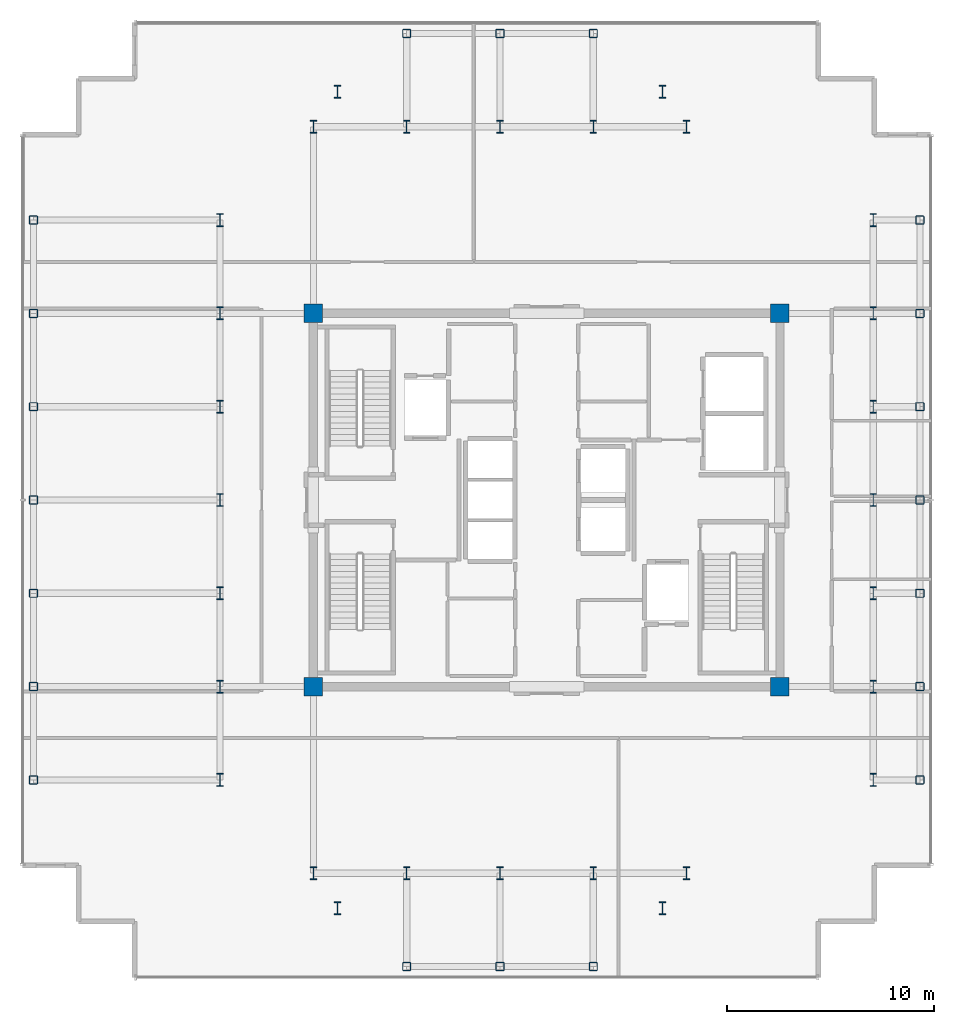
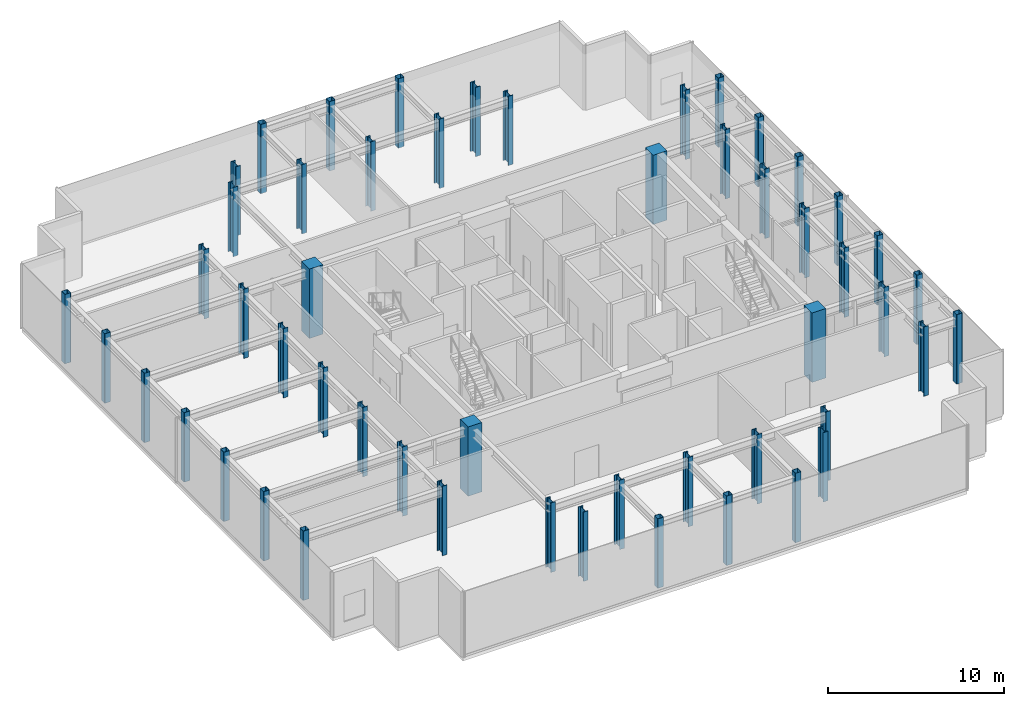
# One storey, part 1 of 17: 52 columns.
"""IFC4 building model written with IfcOpenShell, lengths in metres."""

import ifcopenshell
import ifcopenshell.guid

model = None  # the IFC model being written
_history = None  # IfcOwnerHistory: only IFC2X3 demands one
_inside = {}  # id of a spatial element -> (the spatial element, [elements in it])
_under = {}  # id of a project, library or spatial element -> (it, [spatial elements below it])
_declared = {}  # id of a project -> (the project, [libraries it declares])
_typed = {}  # id of a type object -> (the type object, [elements of that type])
_made_of = {}  # id of a material, layer set ... -> (it, [elements and type objects made of it])


def new_model(schema):
    """Start an empty IFC model of exactly this schema.

    Asked for "IFC4X3", IfcOpenShell would pick the latest addendum, in which some entities
    have other attributes; the version numbers below select the first issue.
    IFC2X3 requires an IfcOwnerHistory on every rooted entity: one is made here for all.
    """
    global model, _history
    if schema == "IFC4X3":
        model = ifcopenshell.file(schema_version=(4, 3, 0, 0))
    else:
        model = ifcopenshell.file(schema=schema)
    _inside.clear()
    _under.clear()
    _declared.clear()
    _typed.clear()
    _made_of.clear()
    _history = None
    if model.schema == "IFC2X3":
        org = make("IfcOrganization", Name="unknown")
        user = make(
            "IfcPersonAndOrganization",
            ThePerson=make("IfcPerson", FamilyName="unknown"),
            TheOrganization=org,
        )
        app = make(
            "IfcApplication",
            ApplicationDeveloper=org,
            Version="unknown",
            ApplicationFullName="unknown",
            ApplicationIdentifier="unknown",
        )
        _history = make(
            "IfcOwnerHistory",
            OwningUser=user,
            OwningApplication=app,
            ChangeAction="ADDED",
            CreationDate=0,
        )
    return model


def make(cls, **values):
    """One entity of the class cls with the attributes given. An attribute that is None is left unset."""
    return model.create_entity(
        cls, **{name: value for name, value in values.items() if value is not None}
    )


def rooted(cls, **values):
    """An entity with a GlobalId (a new one), such as an element, a storey or a relation."""
    return make(cls, GlobalId=ifcopenshell.guid.new(), OwnerHistory=_history, **values)


def si_unit(unit_type, name, prefix=None):
    """IfcSIUnit, for example si_unit("LENGTHUNIT", "METRE", prefix="MILLI")."""
    return make("IfcSIUnit", UnitType=unit_type, Prefix=prefix, Name=name)


def assignment(units):
    """IfcUnitAssignment: the units of a project."""
    return None if units is None else make("IfcUnitAssignment", Units=units)


def point(xyz):
    """IfcCartesianPoint."""
    return None if xyz is None else make("IfcCartesianPoint", Coordinates=xyz)


def direction(xyz):
    """IfcDirection."""
    return None if xyz is None else make("IfcDirection", DirectionRatios=xyz)


def frame(location, z_axis=None, x_axis=None):
    """IfcAxis2Placement3D, a coordinate frame: its origin and axes. An axis left out is left unset."""
    return make(
        "IfcAxis2Placement3D",
        Location=point(location),
        Axis=direction(z_axis),
        RefDirection=direction(x_axis),
    )


def frame_2d(location, x_axis=None):
    """IfcAxis2Placement2D, a coordinate frame in the plane: its origin and x axis."""
    return make(
        "IfcAxis2Placement2D", Location=point(location), RefDirection=direction(x_axis)
    )


def origin():
    """The frame at (0, 0, 0) with its axes left unset."""
    return frame((0.0, 0.0, 0.0))


def origin_2d():
    """The frame at (0, 0) in the plane with its x axis left unset."""
    return frame_2d((0.0, 0.0))


def place(relative_to, where):
    """IfcLocalPlacement: puts the frame where relative to a parent placement (None: the world)."""
    return make(
        "IfcLocalPlacement", PlacementRelTo=relative_to, RelativePlacement=where
    )


def context(
    kind, dimensions, precision=None, world=None, true_north=None, identifier=None
):
    """IfcGeometricRepresentationContext, for example the 3D "Model" context."""
    return make(
        "IfcGeometricRepresentationContext",
        ContextIdentifier=identifier,
        ContextType=kind,
        CoordinateSpaceDimension=dimensions,
        Precision=precision,
        WorldCoordinateSystem=world,
        TrueNorth=true_north,
    )


def subcontext(parent, identifier, kind, view, scale=None):
    """IfcGeometricRepresentationSubContext, for example "Body" below "Model"."""
    return make(
        "IfcGeometricRepresentationSubContext",
        ContextIdentifier=identifier,
        ContextType=kind,
        ParentContext=parent,
        TargetScale=scale,
        TargetView=view,
    )


def project(units=None, contexts=None):
    """IfcProject with its units and contexts."""
    return rooted(
        "IfcProject",
        Name="project",
        RepresentationContexts=contexts,
        UnitsInContext=assignment(units),
    )


def spatial(cls, under=None, at=None, **own):
    """A site, building, storey or space (cls), placed at a placement, below another one or the project."""
    s = rooted(cls, ObjectPlacement=at, **own)
    if under is not None:
        _under.setdefault(under.id(), (under, []))[1].append(s)
    return s


def profile(cls, at=None, kind="AREA", **sizes):
    """A parametric profile (cls). Its sizes go by their IFC names, for example OverallWidth=200.0."""
    return make(cls, ProfileType=kind, Position=at, **sizes)


def rectangle(**sizes):
    """IfcRectangleProfileDef."""
    return profile("IfcRectangleProfileDef", **sizes)


def hollow_rectangle(**sizes):
    """IfcRectangleHollowProfileDef."""
    return profile("IfcRectangleHollowProfileDef", **sizes)


def i_section(**sizes):
    """IfcIShapeProfileDef."""
    return profile("IfcIShapeProfileDef", **sizes)


def extrude(swept, where, along, depth):
    """IfcExtrudedAreaSolid: the profile swept, set in the frame where, extruded along a direction by depth."""
    return make(
        "IfcExtrudedAreaSolid",
        SweptArea=swept,
        Position=where,
        ExtrudedDirection=direction(along),
        Depth=depth,
    )


def shape(context_of_items, identifier, shape_type, items):
    """IfcShapeRepresentation: the items that make up one representation, for example the "Body"."""
    return make(
        "IfcShapeRepresentation",
        ContextOfItems=context_of_items,
        RepresentationIdentifier=identifier,
        RepresentationType=shape_type,
        Items=items,
    )


def source(mapping_origin, context_of_items, identifier, shape_type, items):
    """IfcRepresentationMap: a shape defined once, which mapped items show again and again."""
    return make(
        "IfcRepresentationMap",
        MappingOrigin=mapping_origin,
        MappedRepresentation=shape(context_of_items, identifier, shape_type, items),
    )


def transform(
    local_origin,
    x_axis=None,
    y_axis=None,
    z_axis=None,
    scale=None,
    scale2=None,
    scale3=None,
    uniform=True,
):
    """IfcCartesianTransformationOperator3D, or its non-uniform kind. x_axis, y_axis, z_axis: its Axis1, 2, 3."""
    if uniform:
        return make(
            "IfcCartesianTransformationOperator3D",
            Axis1=direction(x_axis),
            Axis2=direction(y_axis),
            LocalOrigin=point(local_origin),
            Scale=scale,
            Axis3=direction(z_axis),
        )
    return make(
        "IfcCartesianTransformationOperator3DnonUniform",
        Axis1=direction(x_axis),
        Axis2=direction(y_axis),
        LocalOrigin=point(local_origin),
        Scale=scale,
        Axis3=direction(z_axis),
        Scale2=scale2,
        Scale3=scale3,
    )


def mapped(mapping_source, mapping_target):
    """IfcMappedItem: shows the shape of a source again, moved by a transform."""
    return make(
        "IfcMappedItem", MappingSource=mapping_source, MappingTarget=mapping_target
    )


def material(Name=None, Category=None):
    """IfcMaterial."""
    return make("IfcMaterial", Name=Name, Category=Category)


def material_profile(
    of_material, cross_section, Name=None, Category=None, Priority=None
):
    """IfcMaterialProfile: a cross section and its material."""
    return make(
        "IfcMaterialProfile",
        Name=Name,
        Material=of_material,
        Profile=cross_section,
        Priority=Priority,
        Category=Category,
    )


def profile_set(profiles, Name=None, composite=None):
    """IfcMaterialProfileSet."""
    return make(
        "IfcMaterialProfileSet",
        Name=Name,
        MaterialProfiles=profiles,
        CompositeProfile=composite,
    )


def made_of(thing, what):
    """Note that an element or type object is made of a material, layer set ...; save() writes the relation."""
    if what is not None:
        _made_of.setdefault(what.id(), (what, []))[1].append(thing)
    return thing


def type_object(cls, material=None, **own):
    """A type object (cls), such as IfcWallType, which elements share."""
    return made_of(rooted(cls, **own), material)


def element(
    cls,
    number,
    at=None,
    inside=None,
    cuts=None,
    type_object=None,
    material=None,
    context=None,
    identifier="Body",
    shape_type=None,
    held_by="IfcProductDefinitionShape",
    body=None,
    shapes=None,
    **own,
):
    """One element of the class cls, such as IfcWall. Its Tag is "e" and its number.

    at: its placement. inside: the storey or other place that contains it. cuts: it is an
    opening in that element (IfcRelVoidsElement). A single representation is given by context,
    identifier, shape_type and body (its items); several are given by shapes. held_by: the class
    of the entity that holds the representations. save() writes the other relations.
    """
    e = rooted(cls, Tag="e%d" % number, ObjectPlacement=at, **own)
    if body is not None:
        shapes = [shape(context, identifier, shape_type, body)]
    if shapes is not None:
        e.Representation = make(held_by, Representations=shapes)
    if inside is not None:
        _inside.setdefault(inside.id(), (inside, []))[1].append(e)
    if cuts is not None:
        rooted(
            "IfcRelVoidsElement", RelatingBuildingElement=cuts, RelatedOpeningElement=e
        )
    if type_object is not None:
        _typed.setdefault(type_object.id(), (type_object, []))[1].append(e)
    return made_of(e, material)


def aggregate(whole, parts):
    """IfcRelAggregates: a whole, such as a stair, and the parts it consists of."""
    return rooted("IfcRelAggregates", RelatingObject=whole, RelatedObjects=parts)


def save(model, path):
    """Write the relations noted so far, then the file.

    IfcRelAggregates (storeys below a building ...), IfcRelContainedInSpatialStructure (elements
    in a storey), IfcRelDefinesByType, IfcRelAssociatesMaterial and IfcRelDeclares: one each for
    every whole, place, type object, material and project.
    """
    for whole, parts in _under.values():
        aggregate(whole, parts)
    for where, things in _inside.values():
        rooted(
            "IfcRelContainedInSpatialStructure",
            RelatedElements=things,
            RelatingStructure=where,
        )
    for kind, things in _typed.values():
        rooted("IfcRelDefinesByType", RelatedObjects=things, RelatingType=kind)
    for what, things in _made_of.values():
        rooted("IfcRelAssociatesMaterial", RelatedObjects=things, RelatingMaterial=what)
    for by, libraries in _declared.values():
        rooted("IfcRelDeclares", RelatingContext=by, RelatedDefinitions=libraries)
    model.write(path)


model = new_model("IFC4")

# Units and contexts
model_context = context("Model", 3, precision=1e-05, world=origin(), true_north=direction((0.0, 1.0)))
body_context = subcontext(model_context, "Body", "Model", "MODEL_VIEW")
ifc_project = project(units=[si_unit("LENGTHUNIT", "METRE"), si_unit("AREAUNIT", "SQUARE_METRE"), si_unit("VOLUMEUNIT", "CUBIC_METRE"), si_unit("PLANEANGLEUNIT", "RADIAN"), si_unit("MASSUNIT", "GRAM", prefix="KILO")], contexts=[model_context])

# Site, building, storey
site_placement = place(None, origin())
site = spatial("IfcSite", under=ifc_project, at=site_placement, CompositionType="ELEMENT")
building_placement = place(site_placement, origin())
building = spatial("IfcBuilding", under=site, at=building_placement, Name="Nefas-Gora Pilgrimage Tower", CompositionType="ELEMENT")
storey_placement = place(building_placement, frame((0.0, 0.0, 349.0)))
storey = spatial("IfcBuildingStorey", under=building, at=storey_placement, Name="L88", CompositionType="ELEMENT", Elevation=349.0)

# Columns
ifc_material_1 = material(Name="Steel S355", Category="steel")
ifc_material_profile_1 = material_profile(ifc_material_1, hollow_rectangle(XDim=0.39990234375, YDim=0.39990234375, WallThickness=0.02001953125, InnerFilletRadius=0.02001953125, OuterFilletRadius=0.0400390625, at=origin_2d()), Name="SHS 400x400x20")
ifc_profile_set_1 = profile_set([ifc_material_profile_1], Name="Steel S355")
column_type_1 = type_object("IfcColumnType", Name="COL-TUBE-400", PredefinedType="COLUMN", material=ifc_profile_set_1)
shared_shape_1 = source(origin(), body_context, "Body", "SweptSolid", [
    extrude(hollow_rectangle(XDim=0.39990234375, YDim=0.39990234375, WallThickness=0.02001953125, InnerFilletRadius=0.02001953125, OuterFilletRadius=0.0400390625, at=origin_2d()), origin(), (0.0, 0.0, 1.0), 4.800048828125),
])
for number, where, z_axis, x_axis, name in (
    (1, (-24.75, -13.5, 0.0), (0.0, 0.0, 1.0), (1.0, 0.0, 0.0), "L88 Tower Column C-Z5.1"),
    (2, (-24.75, -9.0, 0.0), (0.0, 0.0, 1.0), (1.0, 0.0, 0.0), "L88 Tower Column C-Z5.2"),
    (3, (-24.75, -4.5, 0.0), (0.0, 0.0, 1.0), (1.0, 0.0, 0.0), "L88 Tower Column C-Z5.3"),
    (4, (-24.75, 0.0, 0.0), (0.0, 0.0, 1.0), (1.0, 0.0, 0.0), "L88 Tower Column C-Z5.4"),
    (5, (-24.75, 4.5, 0.0), (0.0, 0.0, 1.0), (1.0, 0.0, 0.0), "L88 Tower Column C-Z5.5"),
    (6, (-24.75, 9.0, 0.0), (0.0, 0.0, 1.0), (1.0, 0.0, 0.0), "L88 Tower Column C-Z5.6"),
    (7, (-24.75, 13.5, 0.0), (0.0, 0.0, 1.0), (1.0, 0.0, 0.0), "L88 Tower Column C-Z5.7"),
    (8, (-6.75, -22.5, 0.0), (0.0, 0.0, 1.0), (1.0, 0.0, 0.0), "L88 Tower Column C-Z5.21"),
    (9, (-6.75, 22.5, 0.0), (0.0, 0.0, 1.0), (1.0, 0.0, 0.0), "L88 Tower Column C-Z5.24"),
    (10, (-2.25, -22.5, 0.0), (0.0, 0.0, 1.0), (1.0, 0.0, 0.0), "L88 Tower Column C-Z5.25"),
    (11, (-2.25, 22.5, 0.0), (0.0, 0.0, 1.0), (1.0, 0.0, 0.0), "L88 Tower Column C-Z5.28"),
    (12, (2.25, -22.5, 0.0), (0.0, 0.0, 1.0), (1.0, 0.0, 0.0), "L88 Tower Column C-Z5.29"),
    (13, (2.25, 22.5, 0.0), (0.0, 0.0, 1.0), (1.0, 0.0, 0.0), "L88 Tower Column C-Z5.32"),
    (14, (18.0, -13.5, 0.0), (0.0, 0.0, 1.0), (1.0, 0.0, 0.0), "L88 Tower Column C-Z5.46"),
    (15, (18.0, -9.0, 0.0), (0.0, 0.0, 1.0), (1.0, 0.0, 0.0), "L88 Tower Column C-Z5.47"),
    (16, (18.0, -4.5, 0.0), (0.0, 0.0, 1.0), (1.0, 0.0, 0.0), "L88 Tower Column C-Z5.48"),
    (17, (18.0, 0.0, 0.0), (0.0, 0.0, 1.0), (1.0, 0.0, 0.0), "L88 Tower Column C-Z5.49"),
    (18, (18.0, 4.5, 0.0), (0.0, 0.0, 1.0), (1.0, 0.0, 0.0), "L88 Tower Column C-Z5.50"),
    (19, (18.0, 9.0, 0.0), (0.0, 0.0, 1.0), (1.0, 0.0, 0.0), "L88 Tower Column C-Z5.51"),
    (20, (18.0, 13.5, 0.0), (0.0, 0.0, 1.0), (1.0, 0.0, 0.0), "L88 Tower Column C-Z5.52"),
):
    element("IfcColumn", number, at=place(storey_placement, frame(where, z_axis=z_axis, x_axis=x_axis)), inside=storey, type_object=column_type_1, Name=name, PredefinedType="COLUMN", context=body_context, shape_type="MappedRepresentation", body=[
        mapped(shared_shape_1, transform((0.0, 0.0, 0.0), x_axis=(1.0, 0.0, 0.0), y_axis=(0.0, 1.0, 0.0), z_axis=(0.0, 0.0, 1.0), scale=1.0)),
    ])
ifc_material_profile_2 = material_profile(ifc_material_1, i_section(OverallWidth=0.304931640625, OverallDepth=0.6201171875, WebThickness=0.02099609375, FlangeThickness=0.0400390625, FilletRadius=0.027099609375, at=origin_2d()), Name="HEM 600")
ifc_profile_set_2 = profile_set([ifc_material_profile_2], Name="Steel S355")
column_type_2 = type_object("IfcColumnType", Name="COL-WEB-HEM600", PredefinedType="COLUMN", material=ifc_profile_set_2)
shared_shape_2 = source(origin(), body_context, "Body", "SweptSolid", [
    extrude(i_section(OverallWidth=0.304931640625, OverallDepth=0.6201171875, WebThickness=0.02099609375, FlangeThickness=0.0400390625, FilletRadius=0.027099609375, at=origin_2d()), origin(), (0.0, 0.0, 1.0), 4.800048828125),
])
for number, where, z_axis, x_axis, name in (
    (21, (-15.75, -13.5, 0.0), (0.0, 0.0, 1.0), (1.0, 0.0, 0.0), "L88 Tower Column CW-03.8"),
    (22, (-15.75, -9.0, 0.0), (0.0, 0.0, 1.0), (1.0, 0.0, 0.0), "L88 Tower Column CW-03.9"),
    (23, (-15.75, -4.5, 0.0), (0.0, 0.0, 1.0), (1.0, 0.0, 0.0), "L88 Tower Column CW-03.10"),
    (24, (-15.75, 0.0, 0.0), (0.0, 0.0, 1.0), (1.0, 0.0, 0.0), "L88 Tower Column CW-03.11"),
    (25, (-15.75, 4.5, 0.0), (0.0, 0.0, 1.0), (1.0, 0.0, 0.0), "L88 Tower Column CW-03.12"),
    (26, (-15.75, 9.0, 0.0), (0.0, 0.0, 1.0), (1.0, 0.0, 0.0), "L88 Tower Column CW-03.13"),
    (27, (-15.75, 13.5, 0.0), (0.0, 0.0, 1.0), (1.0, 0.0, 0.0), "L88 Tower Column CW-03.14"),
    (28, (-11.25, -18.0, 0.0), (0.0, 0.0, 1.0), (1.0, 0.0, 0.0), "L88 Tower Column CW-03.15"),
    (29, (-11.25, 18.0, 0.0), (0.0, 0.0, 1.0), (1.0, 0.0, 0.0), "L88 Tower Column CW-03.18"),
    (30, (-10.091064453125, -19.696044921875, 0.0), (0.0, 0.0, 1.0), (1.0, 0.0, 0.0), "L88 Tower Column CW-03.19"),
    (31, (-10.091064453125, 19.696044921875, 0.0), (0.0, 0.0, 1.0), (1.0, 0.0, 0.0), "L88 Tower Column CW-03.20"),
    (32, (-6.75, -18.0, 0.0), (0.0, 0.0, 1.0), (1.0, 0.0, 0.0), "L88 Tower Column CW-03.22"),
    (33, (-6.75, 18.0, 0.0), (0.0, 0.0, 1.0), (1.0, 0.0, 0.0), "L88 Tower Column CW-03.23"),
    (34, (-2.25, -18.0, 0.0), (0.0, 0.0, 1.0), (1.0, 0.0, 0.0), "L88 Tower Column CW-03.26"),
    (35, (-2.25, 18.0, 0.0), (0.0, 0.0, 1.0), (1.0, 0.0, 0.0), "L88 Tower Column CW-03.27"),
    (36, (2.25, -18.0, 0.0), (0.0, 0.0, 1.0), (1.0, 0.0, 0.0), "L88 Tower Column CW-03.30"),
    (37, (2.25, 18.0, 0.0), (0.0, 0.0, 1.0), (1.0, 0.0, 0.0), "L88 Tower Column CW-03.31"),
    (38, (5.591064453125, -19.696044921875, 0.0), (0.0, 0.0, 1.0), (1.0, 0.0, 0.0), "L88 Tower Column CW-03.33"),
    (39, (5.591064453125, 19.696044921875, 0.0), (0.0, 0.0, 1.0), (1.0, 0.0, 0.0), "L88 Tower Column CW-03.34"),
    (40, (6.75, -18.0, 0.0), (0.0, 0.0, 1.0), (1.0, 0.0, 0.0), "L88 Tower Column CW-03.35"),
    (41, (6.75, 18.0, 0.0), (0.0, 0.0, 1.0), (1.0, 0.0, 0.0), "L88 Tower Column CW-03.36"),
    (42, (15.75, -13.5, 0.0), (0.0, 0.0, 1.0), (1.0, 0.0, 0.0), "L88 Tower Column CW-03.39"),
    (43, (15.75, -9.0, 0.0), (0.0, 0.0, 1.0), (1.0, 0.0, 0.0), "L88 Tower Column CW-03.40"),
    (44, (15.75, -4.5, 0.0), (0.0, 0.0, 1.0), (1.0, 0.0, 0.0), "L88 Tower Column CW-03.41"),
    (45, (15.75, 0.0, 0.0), (0.0, 0.0, 1.0), (1.0, 0.0, 0.0), "L88 Tower Column CW-03.42"),
    (46, (15.75, 4.5, 0.0), (0.0, 0.0, 1.0), (1.0, 0.0, 0.0), "L88 Tower Column CW-03.43"),
    (47, (15.75, 9.0, 0.0), (0.0, 0.0, 1.0), (1.0, 0.0, 0.0), "L88 Tower Column CW-03.44"),
    (48, (15.75, 13.5, 0.0), (0.0, 0.0, 1.0), (1.0, 0.0, 0.0), "L88 Tower Column CW-03.45"),
):
    element("IfcColumn", number, at=place(storey_placement, frame(where, z_axis=z_axis, x_axis=x_axis)), inside=storey, type_object=column_type_2, Name=name, PredefinedType="COLUMN", context=body_context, shape_type="MappedRepresentation", body=[
        mapped(shared_shape_2, transform((0.0, 0.0, 0.0), x_axis=(1.0, 0.0, 0.0), y_axis=(0.0, 1.0, 0.0), z_axis=(0.0, 0.0, 1.0), scale=1.0)),
    ])
ifc_material_2 = material(Name="Concrete C50/60", Category="concrete")
ifc_material_profile_3 = material_profile(ifc_material_2, rectangle(XDim=0.89990234375, YDim=0.89990234375, at=origin_2d()), Name="RC 900x900")
ifc_profile_set_3 = profile_set([ifc_material_profile_3], Name="Concrete C50/60")
column_type_3 = type_object("IfcColumnType", Name="COL-RC-900", PredefinedType="COLUMN", material=ifc_profile_set_3)
shared_shape_3 = source(origin(), body_context, "Body", "SweptSolid", [
    extrude(rectangle(XDim=0.89990234375, YDim=0.89990234375, at=origin_2d()), origin(), (0.0, 0.0, 1.0), 4.800048828125),
])
for number, where, z_axis, x_axis, name in (
    (49, (-11.25, -9.0, 0.0), (0.0, 0.0, 1.0), (1.0, 0.0, 0.0), "L88 Tower Column CRC-02.16"),
    (50, (-11.25, 9.0, 0.0), (0.0, 0.0, 1.0), (1.0, 0.0, 0.0), "L88 Tower Column CRC-02.17"),
    (51, (11.25, -9.0, 0.0), (0.0, 0.0, 1.0), (1.0, 0.0, 0.0), "L88 Tower Column CRC-02.37"),
    (52, (11.25, 9.0, 0.0), (0.0, 0.0, 1.0), (1.0, 0.0, 0.0), "L88 Tower Column CRC-02.38"),
):
    element("IfcColumn", number, at=place(storey_placement, frame(where, z_axis=z_axis, x_axis=x_axis)), inside=storey, type_object=column_type_3, Name=name, PredefinedType="COLUMN", context=body_context, shape_type="MappedRepresentation", body=[
        mapped(shared_shape_3, transform((0.0, 0.0, 0.0), x_axis=(1.0, 0.0, 0.0), y_axis=(0.0, 1.0, 0.0), z_axis=(0.0, 0.0, 1.0), scale=1.0)),
    ])

save(model, "model.ifc")
